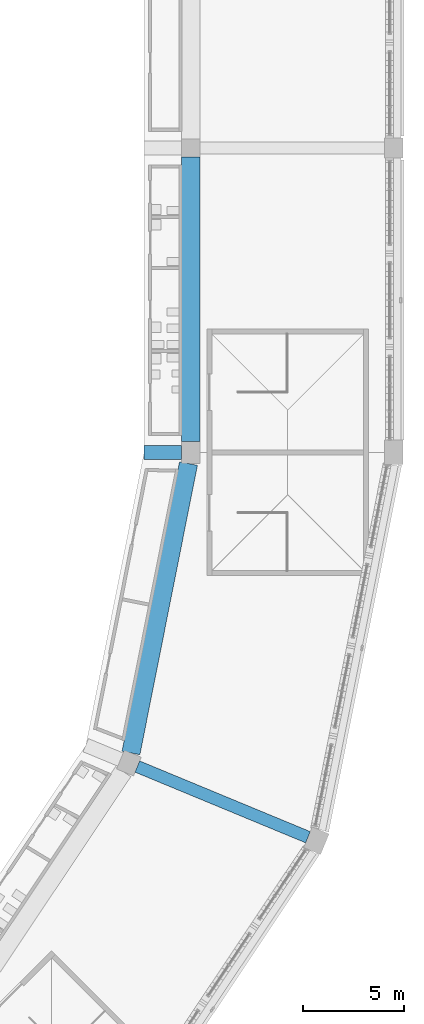
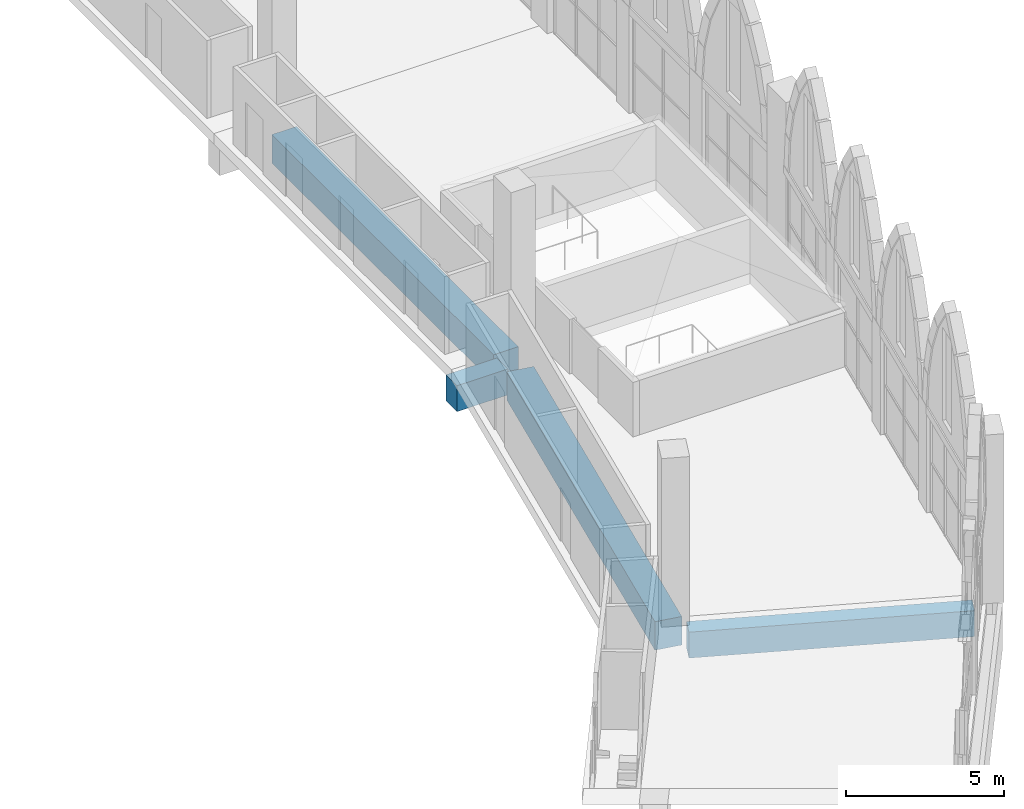
# One storey, part 20 of 130: 4 beams.
"""IFC4 building model written with IfcOpenShell, lengths in metres."""

from ifc_helpers import new_model, si_unit, direction, frame, origin, origin_2d, place, context, subcontext, project, spatial, rectangle, extrude, material, material_profile, profile_set, type_object, element, save


model = new_model("IFC4")

# Units and contexts
model_context = context("Model", 3, precision=1e-05, world=origin(), true_north=direction((0.0, 1.0)))
body_context = subcontext(model_context, "Body", "Model", "MODEL_VIEW")
ifc_project = project(units=[si_unit("LENGTHUNIT", "METRE"), si_unit("AREAUNIT", "SQUARE_METRE"), si_unit("VOLUMEUNIT", "CUBIC_METRE"), si_unit("PLANEANGLEUNIT", "RADIAN"), si_unit("MASSUNIT", "GRAM", prefix="KILO")], contexts=[model_context])

# Site, building, storey
site_placement = place(None, origin())
site = spatial("IfcSite", under=ifc_project, at=site_placement, CompositionType="ELEMENT")
building_placement = place(site_placement, origin())
building = spatial("IfcBuilding", under=site, at=building_placement, Name="Ogive Plaza Stadium", CompositionType="ELEMENT")
storey_placement = place(building_placement, frame((0.0, 0.0, 22.5)))
storey = spatial("IfcBuildingStorey", under=building, at=storey_placement, Name="L05", CompositionType="ELEMENT", Elevation=22.5)

# Beams
ifc_material_1 = material(Name="Concrete C40/50", Category="concrete")
ifc_material_profile_1 = material_profile(ifc_material_1, rectangle(XDim=0.60009765625, YDim=1.0, at=origin_2d()), Name="RC 600x1000")
ifc_profile_set_1 = profile_set([ifc_material_profile_1], Name="Concrete C40/50")
beam_type_1 = type_object("IfcBeamType", Name="RC radial beam 600x1000", PredefinedType="BEAM", material=ifc_profile_set_1)
beam_1_placement = place(storey_placement, frame((71.370849609375, -67.9794921875, -0.909912109375), z_axis=(0.923882116707, -0.382677193504, 0.0), x_axis=(0.382677193504, 0.923882116707, 0.0)))
element("IfcBeam", 1, at=beam_1_placement, inside=storey, type_object=beam_type_1, Name="Radial beam L05 R09 F4F5", PredefinedType="BEAM", context=body_context, shape_type="SweptSolid", body=[
    extrude(rectangle(XDim=0.60009765625, YDim=1.0, at=origin_2d()), origin(), (0.0, 0.0, 1.0), 9.10009765625),
])
ifc_material_2 = material(Name="Concrete C40/50", Category="concrete")
ifc_material_profile_2 = material_profile(ifc_material_2, rectangle(XDim=0.699951171875, YDim=1.0, at=origin_2d()), Name="RC 700x1000")
ifc_profile_set_2 = profile_set([ifc_material_profile_2], Name="Concrete C40/50")
beam_type_2 = type_object("IfcBeamType", Name="RC radial beam 700x1000", PredefinedType="BEAM", material=ifc_profile_set_2)
beam_2_placement = place(storey_placement, frame((71.699951171875, -52.5, -0.909912109375), z_axis=(1.0, 0.0, 0.0), x_axis=(0.0, 1.0, 0.0)))
element("IfcBeam", 2, at=beam_2_placement, inside=storey, type_object=beam_type_2, Name="Raker tail beam UT R08", PredefinedType="BEAM", context=body_context, shape_type="SweptSolid", body=[
    extrude(rectangle(XDim=0.699951171875, YDim=1.0, at=origin_2d()), origin(), (0.0, 0.0, 1.0), 1.85009765625),
])
ifc_material_3 = material(Name="Concrete C40/50", Category="concrete")
ifc_material_profile_3 = material_profile(ifc_material_3, rectangle(XDim=0.89990234375, YDim=1.10009765625, at=origin_2d()), Name="RC 900x1100")
ifc_profile_set_3 = profile_set([ifc_material_profile_3], Name="Concrete C40/50")
beam_type_3 = type_object("IfcBeamType", Name="RC ring beam 900x1100", PredefinedType="BEAM", material=ifc_profile_set_3)
beam_3_placement = place(storey_placement, frame((74.0, -37.949951171875, -0.9599609375), z_axis=(0.0, -1.0, 0.0), x_axis=(1.0, 0.0, 0.0)))
element("IfcBeam", 3, at=beam_3_placement, inside=storey, type_object=beam_type_3, Name="Ring beam F4 L05 B07", PredefinedType="BEAM", context=body_context, shape_type="SweptSolid", body=[
    extrude(rectangle(XDim=0.89990234375, YDim=1.10009765625, at=origin_2d()), origin(), (0.0, 0.0, 1.0), 14.0),
])
beam_4_placement = place(storey_placement, frame((73.890625, -53.050048828125, -0.9599609375), z_axis=(-0.195088957992, -0.980785551724, 0.0), x_axis=(0.980785551724, -0.195088957992, 0.0)))
element("IfcBeam", 4, at=beam_4_placement, inside=storey, type_object=beam_type_3, Name="Ring beam F4 L05 B08", PredefinedType="BEAM", context=body_context, shape_type="SweptSolid", body=[
    extrude(rectangle(XDim=0.89990234375, YDim=1.10009765625, at=origin_2d()), origin(), (0.0, 0.0, 1.0), 14.53662109375),
])

save(model, "model.ifc")
